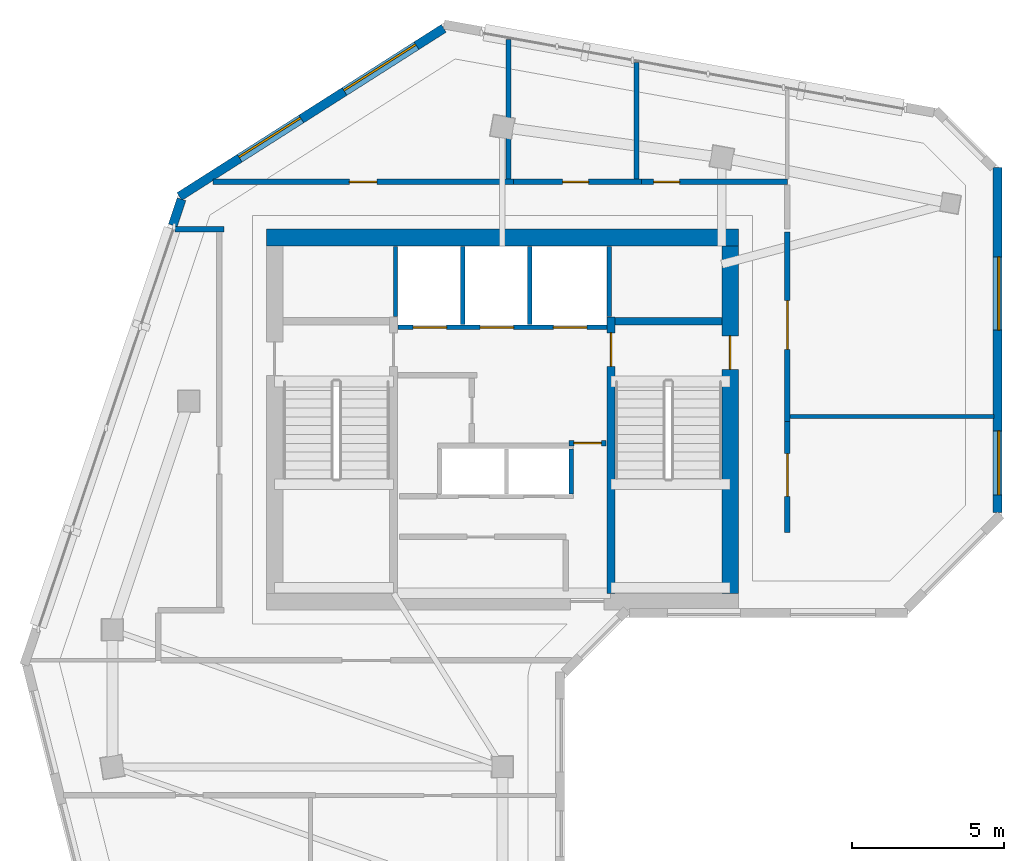
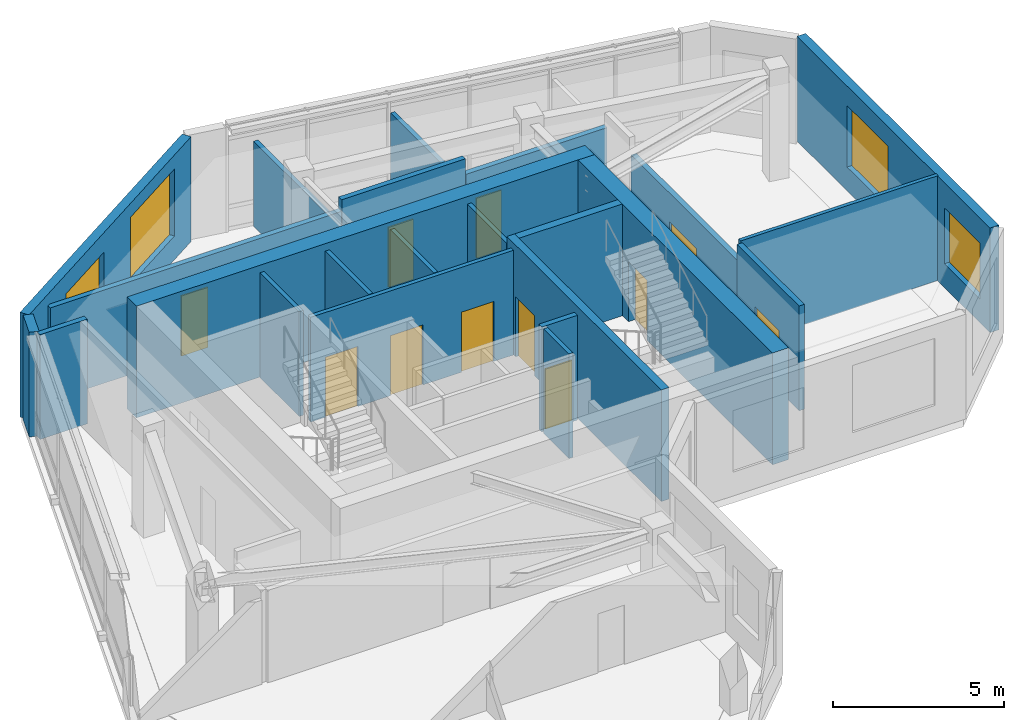
# One storey, part 4 of 8: 23 walls, 11 doors, 4 windows, 15 openings.
"""IFC4 building model written with IfcOpenShell, lengths in metres."""

from ifc_helpers import new_model, si_unit, direction, frame, frame_2d, origin, place, context, subcontext, project, spatial, rectangle, extrude, source, transform, mapped, material, layer, layer_set, type_object, element, fill, save


model = new_model("IFC4")

# Units and contexts
model_context = context("Model", 3, precision=1e-05, world=origin(), true_north=direction((0.0, 1.0)))
body_context = subcontext(model_context, "Body", "Model", "MODEL_VIEW")
ifc_project = project(units=[si_unit("LENGTHUNIT", "METRE"), si_unit("AREAUNIT", "SQUARE_METRE"), si_unit("VOLUMEUNIT", "CUBIC_METRE"), si_unit("PLANEANGLEUNIT", "RADIAN"), si_unit("MASSUNIT", "GRAM", prefix="KILO")], contexts=[model_context])

# Site, building, storey
site_placement = place(None, origin())
site = spatial("IfcSite", under=ifc_project, at=site_placement, CompositionType="ELEMENT")
building_placement = place(site_placement, origin())
building = spatial("IfcBuilding", under=site, at=building_placement, Name="Calvemar Wedge Station Tower", CompositionType="ELEMENT")
storey_placement = place(building_placement, frame((0.0, 0.0, 292.5)))
storey = spatial("IfcBuildingStorey", under=building, at=storey_placement, Name="L75", CompositionType="ELEMENT", Elevation=292.5)

# Wall, opening, door
ifc_material_1 = material(Name="Concrete C50", Category="concrete")
ifc_layer_1 = layer(ifc_material_1, 0.260009765625)
ifc_layer_set_1 = layer_set([ifc_layer_1], Name="Concrete C50")
wall_type_1 = type_object("IfcWallType", Name="SW-CORE-260", PredefinedType="SHEAR", material=ifc_layer_set_1)
wall_1_placement = place(storey_placement, frame((27.3701171875, 34.199951171875, 0.0), z_axis=(0.0, 0.0, 1.0), x_axis=(0.0, 1.0, 0.0)))
wall_1 = element("IfcWall", 1, at=wall_1_placement, inside=storey, type_object=wall_type_1, Name="Storey L75 Core Shear Wall SPINE-E", PredefinedType="SHEAR", context=body_context, shape_type="SweptSolid", body=[
    extrude(rectangle(XDim=9.06005859375, YDim=0.260009765625, at=frame_2d((4.530029296875, 0.0))), origin(), (0.0, 0.0, 1.0), 4.0),
])
shared_shape_1 = source(origin(), body_context, "Body", "SweptSolid", [
    extrude(rectangle(XDim=1.10009765625, YDim=2.14990234375, at=frame_2d((0.550048828125, 1.074951171875))), frame((0.0, 0.14013671875, 0.0), z_axis=(0.0, -1.0, 0.0), x_axis=(1.0, 0.0, 0.0)), (0.0, 0.0, 1.0), 0.280029296875),
])
opening_1_placement = place(wall_1_placement, frame((7.449951171875, 0.0, 0.0)))
opening_1 = element("IfcOpeningElement", 2, at=opening_1_placement, cuts=wall_1, Name="Opening FD-90", PredefinedType="OPENING", context=body_context, shape_type="MappedRepresentation", body=[
    mapped(shared_shape_1, transform((0.0, 0.0, 0.0), scale=1.0)),
])
ifc_material_2 = material(Name="Galvanized fire-rated steel door leaf P-90", Category="steel")
door_type_1 = type_object("IfcDoorType", Name="DR-FD90-1100", OperationType="NOTDEFINED", PredefinedType="DOOR", material=ifc_material_2)
shared_shape_2 = source(origin(), body_context, "Body", "SweptSolid", [
    extrude(rectangle(XDim=1.10009765625, YDim=2.14990234375, at=frame_2d((0.550048828125, 1.074951171875))), frame((0.0, 0.02490234375, 0.0), z_axis=(0.0, -1.0, 0.0), x_axis=(1.0, 0.0, 0.0)), (0.0, 0.0, 1.0), 0.050048828125),
])
door_1_placement = place(opening_1_placement, origin())
door_1 = element("IfcDoor", 3, at=door_1_placement, inside=storey, type_object=door_type_1, Name="L75 FF Lobby to Stair ST-C2 Door", OperationType="SINGLE_SWING_RIGHT", OverallHeight=2.14990234375, OverallWidth=1.10009765625, PredefinedType="DOOR", context=body_context, shape_type="MappedRepresentation", body=[
    mapped(shared_shape_2, transform((0.0, 0.0, 0.0), scale=1.0)),
])
fill(opening_1, door_1)

# Walls
wall_2_placement = place(storey_placement, frame((27.5, 43.1298828125, 0.0), z_axis=(0.0, 0.0, 1.0), x_axis=(1.0, 0.0, 0.0)))
element("IfcWall", 4, at=wall_2_placement, inside=storey, type_object=wall_type_1, Name="Storey L75 Core Shear Wall STC2-N", PredefinedType="SHEAR", context=body_context, shape_type="SweptSolid", body=[
    extrude(rectangle(XDim=3.5, YDim=0.260009765625, at=frame_2d((1.75, 0.0))), origin(), (0.0, 0.0, 1.0), 4.0),
])
ifc_material_3 = material(Name="Concrete C60", Category="concrete")
ifc_layer_2 = layer(ifc_material_3, 0.550048828125)
ifc_layer_set_2 = layer_set([ifc_layer_2], Name="Concrete C60")
wall_type_2 = type_object("IfcWallType", Name="SW-CORE-550", PredefinedType="SHEAR", material=ifc_layer_set_2)
wall_3_placement = place(storey_placement, frame((16.050048828125, 45.875, 0.0), z_axis=(0.0, 0.0, 1.0), x_axis=(1.0, 0.0, 0.0)))
element("IfcWall", 5, at=wall_3_placement, inside=storey, type_object=wall_type_2, Name="Storey L75 Core Shear Wall N", PredefinedType="SHEAR", context=body_context, shape_type="SweptSolid", body=[
    extrude(rectangle(XDim=15.5, YDim=0.550048828125, at=frame_2d((7.75, 0.0))), origin(), (0.0, 0.0, 1.0), 4.0),
])

# Wall, opening, door
wall_4_placement = place(storey_placement, frame((31.27490234375, 34.199951171875, 0.0), z_axis=(0.0, 0.0, 1.0), x_axis=(0.0, 1.0, 0.0)))
wall_4 = element("IfcWall", 6, at=wall_4_placement, inside=storey, type_object=wall_type_2, Name="Storey L75 Core Shear Wall E", PredefinedType="SHEAR", context=body_context, shape_type="SweptSolid", body=[
    extrude(rectangle(XDim=11.400146484375, YDim=0.550048828125, at=frame_2d((5.7001953125, 0.0))), origin(), (0.0, 0.0, 1.0), 4.0),
])
shared_shape_3 = source(origin(), body_context, "Body", "SweptSolid", [
    extrude(rectangle(XDim=1.10009765625, YDim=2.14990234375, at=frame_2d((0.550048828125, 1.074951171875))), frame((0.0, 0.28515625, 0.0), z_axis=(0.0, -1.0, 0.0), x_axis=(1.0, 0.0, 0.0)), (0.0, 0.0, 1.0), 0.570068359375),
])
opening_2_placement = place(wall_4_placement, frame((7.35009765625, 0.0, 0.0)))
opening_2 = element("IfcOpeningElement", 7, at=opening_2_placement, cuts=wall_4, Name="Opening FD-90", PredefinedType="OPENING", context=body_context, shape_type="MappedRepresentation", body=[
    mapped(shared_shape_3, transform((0.0, 0.0, 0.0), scale=1.0)),
])
door_2_placement = place(opening_2_placement, origin())
door_2 = element("IfcDoor", 8, at=door_2_placement, inside=storey, type_object=door_type_1, Name="L75 East Corridor to Exit Stair ST-C2 Door", OperationType="SINGLE_SWING_RIGHT", OverallHeight=2.14990234375, OverallWidth=1.10009765625, PredefinedType="DOOR", context=body_context, shape_type="MappedRepresentation", body=[
    mapped(shared_shape_2, transform((0.0, 0.0, 0.0), scale=1.0)),
])
fill(opening_2, door_2)

ifc_material_4 = material(Name="Double-stud fire-rated corridor partition")
ifc_layer_3 = layer(ifc_material_4, 0.179931640625)
ifc_layer_set_3 = layer_set([ifc_layer_3], Name="Double-stud fire-rated corridor partition")
wall_type_3 = type_object("IfcWallType", Name="W-CORR-180", PredefinedType="PARTITIONING", material=ifc_layer_set_3)
wall_5_placement = place(storey_placement, frame((27.199951171875, 39.1298828125, 0.0), z_axis=(0.0, 0.0, 1.0), x_axis=(-1.0, 0.0, 0.0)))
wall_5 = element("IfcWall", 9, at=wall_5_placement, inside=storey, type_object=wall_type_3, Name="Storey L75 Interior Partition WL-L75-004", PredefinedType="PARTITIONING", context=body_context, shape_type="SweptSolid", body=[
    extrude(rectangle(XDim=1.2099609375, YDim=0.179931640625, at=frame_2d((0.60498046875, 0.0))), origin(), (0.0, 0.0, 1.0), 3.75),
])
shared_shape_4 = source(origin(), body_context, "Body", "SweptSolid", [
    extrude(rectangle(XDim=0.89990234375, YDim=2.14990234375, at=frame_2d((0.449951171875, 1.074951171875))), frame((0.0, 0.10009765625, 0.0), z_axis=(0.0, -1.0, 0.0), x_axis=(1.0, 0.0, 0.0)), (0.0, 0.0, 1.0), 0.199951171875),
])
opening_3_placement = place(wall_5_placement, frame((0.155029296875, 0.0, 0.0)))
opening_3 = element("IfcOpeningElement", 10, at=opening_3_placement, cuts=wall_5, Name="Opening FD-60", PredefinedType="OPENING", context=body_context, shape_type="MappedRepresentation", body=[
    mapped(shared_shape_4, transform((0.0, 0.0, 0.0), scale=1.0)),
])
ifc_material_5 = material(Name="Fire-rated acoustic timber-core entrance door EI 60", Category="wood")
door_type_2 = type_object("IfcDoorType", Name="DR-FD60-900", OperationType="NOTDEFINED", PredefinedType="DOOR", material=ifc_material_5)
shared_shape_5 = source(origin(), body_context, "Body", "SweptSolid", [
    extrude(rectangle(XDim=0.89990234375, YDim=2.14990234375, at=frame_2d((0.449951171875, 1.074951171875))), frame((0.0, 0.02490234375, 0.0), z_axis=(0.0, -1.0, 0.0), x_axis=(1.0, 0.0, 0.0)), (0.0, 0.0, 1.0), 0.050048828125),
])
door_3_placement = place(opening_3_placement, origin())
door_3 = element("IfcDoor", 11, at=door_3_placement, inside=storey, type_object=door_type_2, Name="L75 Core Service Lobby Door", OperationType="SINGLE_SWING_LEFT", OverallHeight=2.14990234375, OverallWidth=0.89990234375, PredefinedType="DOOR", context=body_context, shape_type="MappedRepresentation", body=[
    mapped(shared_shape_5, transform((0.0, 0.0, 0.0), scale=1.0)),
])
fill(opening_3, door_3)

# Wall
wall_6_placement = place(storey_placement, frame((14.659912109375, 46.14990234375, 0.0), z_axis=(0.0, 0.0, 1.0), x_axis=(-1.0, 0.0, 0.0)))
element("IfcWall", 12, at=wall_6_placement, inside=storey, type_object=wall_type_3, Name="Storey L75 Interior Partition WL-L75-011", PredefinedType="PARTITIONING", context=body_context, shape_type="SweptSolid", body=[
    extrude(rectangle(XDim=1.602294921875, YDim=0.179931640625, at=frame_2d((0.80126953125, 0.0))), origin(), (0.0, 0.0, 1.0), 3.75),
])

# Wall, opening, door
wall_7_placement = place(storey_placement, frame((14.29541015625, 47.699951171875, 0.0), z_axis=(0.0, 0.0, 1.0), x_axis=(1.0, 0.0, 0.0)))
wall_7 = element("IfcWall", 13, at=wall_7_placement, inside=storey, type_object=wall_type_3, Name="Storey L75 Interior Partition WL-L75-012", PredefinedType="PARTITIONING", context=body_context, shape_type="SweptSolid", body=[
    extrude(rectangle(XDim=9.864501953125, YDim=0.179931640625, at=frame_2d((4.93212890625, 0.0))), origin(), (0.0, 0.0, 1.0), 3.3349609375),
])
opening_4_placement = place(wall_7_placement, frame((4.482421875, 0.0, 0.0)))
opening_4 = element("IfcOpeningElement", 14, at=opening_4_placement, cuts=wall_7, Name="Opening D-01", PredefinedType="OPENING", context=body_context, shape_type="MappedRepresentation", body=[
    mapped(shared_shape_4, transform((0.0, 0.0, 0.0), scale=1.0)),
])
ifc_material_6 = material(Name="Architectural hardwood acoustic swing door", Category="wood")
door_type_3 = type_object("IfcDoorType", Name="DR-INT-900", OperationType="NOTDEFINED", PredefinedType="DOOR", material=ifc_material_6)
shared_shape_6 = source(origin(), body_context, "Body", "SweptSolid", [
    extrude(rectangle(XDim=0.89990234375, YDim=2.14990234375, at=frame_2d((0.449951171875, 1.074951171875))), frame((0.0, 0.02490234375, 0.0), z_axis=(0.0, -1.0, 0.0), x_axis=(1.0, 0.0, 0.0)), (0.0, 0.0, 1.0), 0.050048828125),
])
door_4_placement = place(opening_4_placement, origin())
door_4 = element("IfcDoor", 15, at=door_4_placement, inside=storey, type_object=door_type_3, Name="L75 Summit VIP Boardroom Door", OperationType="SINGLE_SWING_RIGHT", OverallHeight=2.14990234375, OverallWidth=0.89990234375, PredefinedType="DOOR", context=body_context, shape_type="MappedRepresentation", body=[
    mapped(shared_shape_6, transform((0.0, 0.0, 0.0), scale=1.0)),
])
fill(opening_4, door_4)

wall_8_placement = place(storey_placement, frame((24.162109375, 47.699951171875, 0.0), z_axis=(0.0, 0.0, 1.0), x_axis=(1.0, 0.0, 0.0)))
wall_8 = element("IfcWall", 16, at=wall_8_placement, inside=storey, type_object=wall_type_3, Name="Storey L75 Interior Partition WL-L75-013", PredefinedType="PARTITIONING", context=body_context, shape_type="SweptSolid", body=[
    extrude(rectangle(XDim=4.197998046875, YDim=0.179931640625, at=frame_2d((2.09912109375, 0.0))), origin(), (0.0, 0.0, 1.0), 3.75),
])
shared_shape_7 = source(origin(), body_context, "Body", "SweptSolid", [
    extrude(rectangle(XDim=0.85009765625, YDim=2.14990234375, at=frame_2d((0.425048828125, 1.074951171875))), frame((0.0, 0.10009765625, 0.0), z_axis=(0.0, -1.0, 0.0), x_axis=(1.0, 0.0, 0.0)), (0.0, 0.0, 1.0), 0.199951171875),
])
opening_5_placement = place(wall_8_placement, frame((1.61328125, 0.0, 0.0)))
opening_5 = element("IfcOpeningElement", 17, at=opening_5_placement, cuts=wall_8, Name="Opening D-02", PredefinedType="OPENING", context=body_context, shape_type="MappedRepresentation", body=[
    mapped(shared_shape_7, transform((0.0, 0.0, 0.0), scale=1.0)),
])
ifc_material_7 = material(Name="Moisture-sealed bathroom hardwood swing door", Category="wood")
door_type_4 = type_object("IfcDoorType", Name="DR-WET-850", OperationType="NOTDEFINED", PredefinedType="DOOR", material=ifc_material_7)
shared_shape_8 = source(origin(), body_context, "Body", "SweptSolid", [
    extrude(rectangle(XDim=0.85009765625, YDim=2.14990234375, at=frame_2d((0.425048828125, 1.074951171875))), frame((0.0, 0.02490234375, 0.0), z_axis=(0.0, -1.0, 0.0), x_axis=(1.0, 0.0, 0.0)), (0.0, 0.0, 1.0), 0.050048828125),
])
door_5_placement = place(opening_5_placement, origin())
door_5 = element("IfcDoor", 18, at=door_5_placement, inside=storey, type_object=door_type_4, Name="L75 Accessible WC Door", OperationType="SINGLE_SWING_LEFT", OverallHeight=2.14990234375, OverallWidth=0.85009765625, PredefinedType="DOOR", context=body_context, shape_type="MappedRepresentation", body=[
    mapped(shared_shape_8, transform((0.0, 0.0, 0.0), scale=1.0)),
])
fill(opening_5, door_5)

wall_9_placement = place(storey_placement, frame((28.362060546875, 47.699951171875, 0.0), z_axis=(0.0, 0.0, 1.0), x_axis=(1.0, 0.0, 0.0)))
wall_9 = element("IfcWall", 19, at=wall_9_placement, inside=storey, type_object=wall_type_3, Name="Storey L75 Interior Partition WL-L75-014", PredefinedType="PARTITIONING", context=body_context, shape_type="SweptSolid", body=[
    extrude(rectangle(XDim=4.787841796875, YDim=0.179931640625, at=frame_2d((2.39404296875, 0.0))), origin(), (0.0, 0.0, 1.0), 3.18798828125),
])
opening_6_placement = place(wall_9_placement, frame((0.400634765625, 0.0, 0.0)))
opening_6 = element("IfcOpeningElement", 20, at=opening_6_placement, cuts=wall_9, Name="Opening D-02", PredefinedType="OPENING", context=body_context, shape_type="MappedRepresentation", body=[
    mapped(shared_shape_7, transform((0.0, 0.0, 0.0), scale=1.0)),
])
door_6_placement = place(opening_6_placement, origin())
door_6 = element("IfcDoor", 21, at=door_6_placement, inside=storey, type_object=door_type_4, Name="L75 Storage Room Door", OperationType="SINGLE_SWING_RIGHT", OverallHeight=2.14990234375, OverallWidth=0.85009765625, PredefinedType="DOOR", context=body_context, shape_type="MappedRepresentation", body=[
    mapped(shared_shape_8, transform((0.0, 0.0, 0.0), scale=1.0)),
])
fill(opening_6, door_6)

wall_10_placement = place(storey_placement, frame((33.14990234375, 46.055908203125, 0.0), z_axis=(0.0, 0.0, 1.0), x_axis=(0.0, -1.0, 0.0)))
wall_10 = element("IfcWall", 22, at=wall_10_placement, inside=storey, type_object=wall_type_3, Name="Storey L75 Interior Partition WL-L75-016", PredefinedType="PARTITIONING", context=body_context, shape_type="SweptSolid", body=[
    extrude(rectangle(XDim=6.2158203125, YDim=0.179931640625, at=frame_2d((3.10791015625, 0.0))), origin(), (0.0, 0.0, 1.0), 3.18798828125),
])
shared_shape_9 = source(origin(), body_context, "Body", "SweptSolid", [
    extrude(rectangle(XDim=1.60009765625, YDim=2.14990234375, at=frame_2d((0.800048828125, 1.074951171875))), frame((0.0, 0.10009765625, 0.0), z_axis=(0.0, -1.0, 0.0), x_axis=(1.0, 0.0, 0.0)), (0.0, 0.0, 1.0), 0.199951171875),
])
opening_7_placement = place(wall_10_placement, frame((2.24658203125, 0.0, 0.0)))
opening_7 = element("IfcOpeningElement", 23, at=opening_7_placement, cuts=wall_10, Name="Opening DD-160", PredefinedType="OPENING", context=body_context, shape_type="MappedRepresentation", body=[
    mapped(shared_shape_9, transform((0.0, 0.0, 0.0), scale=1.0)),
])
ifc_material_8 = material(Name="Double-leaf fire-rated lobby door EI 60")
door_type_5 = type_object("IfcDoorType", Name="DR-DBL-1600", OperationType="DOUBLE_DOOR_SINGLE_SWING", PredefinedType="DOOR", material=ifc_material_8)
shared_shape_10 = source(origin(), body_context, "Body", "SweptSolid", [
    extrude(rectangle(XDim=1.60009765625, YDim=2.14990234375, at=frame_2d((0.800048828125, 1.074951171875))), frame((0.0, 0.02490234375, 0.0), z_axis=(0.0, -1.0, 0.0), x_axis=(1.0, 0.0, 0.0)), (0.0, 0.0, 1.0), 0.050048828125),
])
door_7_placement = place(opening_7_placement, origin())
door_7 = element("IfcDoor", 24, at=door_7_placement, inside=storey, type_object=door_type_5, Name="L75 Atlantic Summit Observatory Gallery Door", OperationType="SINGLE_SWING_LEFT", OverallHeight=2.14990234375, OverallWidth=1.60009765625, PredefinedType="DOOR", context=body_context, shape_type="MappedRepresentation", body=[
    mapped(shared_shape_10, transform((0.0, 0.0, 0.0), scale=1.0)),
])
fill(opening_7, door_7)

wall_11_placement = place(storey_placement, frame((33.14990234375, 39.837890625, 0.0), z_axis=(0.0, 0.0, 1.0), x_axis=(0.0, -1.0, 0.0)))
wall_11 = element("IfcWall", 25, at=wall_11_placement, inside=storey, type_object=wall_type_3, Name="Storey L75 Interior Partition WL-L75-017", PredefinedType="PARTITIONING", context=body_context, shape_type="SweptSolid", body=[
    extrude(rectangle(XDim=3.637939453125, YDim=0.179931640625, at=frame_2d((1.81884765625, 0.0))), origin(), (0.0, 0.0, 1.0), 3.75),
])
shared_shape_11 = source(origin(), body_context, "Body", "SweptSolid", [
    extrude(rectangle(XDim=1.39990234375, YDim=2.14990234375, at=frame_2d((0.699951171875, 1.074951171875))), frame((0.0, 0.10009765625, 0.0), z_axis=(0.0, -1.0, 0.0), x_axis=(1.0, 0.0, 0.0)), (0.0, 0.0, 1.0), 0.199951171875),
])
opening_8_placement = place(wall_11_placement, frame((1.054443359375, 0.0, 0.0)))
opening_8 = element("IfcOpeningElement", 26, at=opening_8_placement, cuts=wall_11, Name="Opening DD-140", PredefinedType="OPENING", context=body_context, shape_type="MappedRepresentation", body=[
    mapped(shared_shape_11, transform((0.0, 0.0, 0.0), scale=1.0)),
])
ifc_material_9 = material(Name="Double-leaf corridor acoustic fire door EI 60")
door_type_6 = type_object("IfcDoorType", Name="DR-DBL-1400", OperationType="DOUBLE_DOOR_SINGLE_SWING", PredefinedType="DOOR", material=ifc_material_9)
shared_shape_12 = source(origin(), body_context, "Body", "SweptSolid", [
    extrude(rectangle(XDim=1.39990234375, YDim=2.14990234375, at=frame_2d((0.699951171875, 1.074951171875))), frame((0.0, 0.02490234375, 0.0), z_axis=(0.0, -1.0, 0.0), x_axis=(1.0, 0.0, 0.0)), (0.0, 0.0, 1.0), 0.050048828125),
])
door_8_placement = place(opening_8_placement, origin())
door_8 = element("IfcDoor", 27, at=door_8_placement, inside=storey, type_object=door_type_6, Name="L75 Observatory Exhibition Shop Door", OperationType="SINGLE_SWING_RIGHT", OverallHeight=2.14990234375, OverallWidth=1.39990234375, PredefinedType="DOOR", context=body_context, shape_type="MappedRepresentation", body=[
    mapped(shared_shape_12, transform((0.0, 0.0, 0.0), scale=1.0)),
])
fill(opening_8, door_8)

# Wall, openings, windows
ifc_material_10 = material(Name="Precast concrete C45", Category="concrete")
ifc_layer_4 = layer(ifc_material_10, 0.300048828125)
ifc_layer_set_4 = layer_set([ifc_layer_4], Name="Precast concrete C45")
wall_type_4 = type_object("IfcWallType", Name="W-EXT-GFRC-300", PredefinedType="SOLIDWALL", material=ifc_layer_set_4)
wall_12_placement = place(storey_placement, frame((40.050048828125, 36.857421875, 0.0), z_axis=(0.0, 0.0, 1.0), x_axis=(0.0, 1.0, 0.0)))
wall_12 = element("IfcWall", 28, at=wall_12_placement, inside=storey, type_object=wall_type_4, Name="Storey L75 Bronze GFRC Exterior Wall 8", PredefinedType="SOLIDWALL", context=body_context, shape_type="SweptSolid", body=[
    extrude(rectangle(XDim=11.318359375, YDim=0.300048828125, at=frame_2d((5.6591796875, 0.0))), origin(), (0.0, 0.0, 1.0), 3.75),
])
shared_shape_13 = source(origin(), body_context, "Body", "SweptSolid", [
    extrude(rectangle(XDim=2.10009765625, YDim=2.0, at=frame_2d((1.050048828125, 1.0))), frame((0.0, 0.16015625, 0.0), z_axis=(0.0, -1.0, 0.0), x_axis=(1.0, 0.0, 0.0)), (0.0, 0.0, 1.0), 0.320068359375),
])
opening_9_placement = place(wall_12_placement, frame((0.571044921875, 0.0, 0.85009765625)))
opening_9 = element("IfcOpeningElement", 29, at=opening_9_placement, cuts=wall_12, Name="Opening W4", PredefinedType="OPENING", context=body_context, shape_type="MappedRepresentation", body=[
    mapped(shared_shape_13, transform((0.0, 0.0, 0.0), scale=1.0)),
])
shared_shape_14 = source(origin(), body_context, "Body", "SweptSolid", [
    extrude(rectangle(XDim=2.39990234375, YDim=2.199951171875, at=frame_2d((1.199951171875, 1.10009765625))), frame((0.0, 0.16015625, 0.0), z_axis=(0.0, -1.0, 0.0), x_axis=(1.0, 0.0, 0.0)), (0.0, 0.0, 1.0), 0.320068359375),
])
opening_10_placement = place(wall_12_placement, frame((5.98095703125, 0.0, 0.85009765625)))
opening_10 = element("IfcOpeningElement", 30, at=opening_10_placement, cuts=wall_12, Name="Opening W1", PredefinedType="OPENING", context=body_context, shape_type="MappedRepresentation", body=[
    mapped(shared_shape_14, transform((0.0, 0.0, 0.0), scale=1.0)),
])
ifc_material_11 = material(Name="Low-E laminated insulated glass", Category="glass")
window_type_1 = type_object("IfcWindowType", Name="WIN-EXT-4", PartitioningType="SINGLE_PANEL", PredefinedType="WINDOW", material=ifc_material_11)
shared_shape_15 = source(origin(), body_context, "Body", "SweptSolid", [
    extrude(rectangle(XDim=2.10009765625, YDim=2.0, at=frame_2d((1.050048828125, 1.0))), frame((0.0, -0.014892578125, 0.0), z_axis=(0.0, -1.0, 0.0), x_axis=(1.0, 0.0, 0.0)), (0.0, 0.0, 1.0), 0.06005859375),
])
window_1_placement = place(opening_9_placement, origin())
window_1 = element("IfcWindow", 31, at=window_1_placement, inside=storey, type_object=window_type_1, Name="Storey L75 Recessed Window 8.1", OverallHeight=2.0, OverallWidth=2.10009765625, PartitioningType="SINGLE_PANEL", PredefinedType="WINDOW", context=body_context, shape_type="MappedRepresentation", body=[
    mapped(shared_shape_15, transform((0.0, 0.0, 0.0), scale=1.0)),
])
fill(opening_9, window_1)
window_type_2 = type_object("IfcWindowType", Name="WIN-EXT-1", PartitioningType="SINGLE_PANEL", PredefinedType="WINDOW", material=ifc_material_11)
shared_shape_16 = source(origin(), body_context, "Body", "SweptSolid", [
    extrude(rectangle(XDim=2.39990234375, YDim=2.199951171875, at=frame_2d((1.199951171875, 1.10009765625))), frame((0.0, -0.014892578125, 0.0), z_axis=(0.0, -1.0, 0.0), x_axis=(1.0, 0.0, 0.0)), (0.0, 0.0, 1.0), 0.06005859375),
])
window_2_placement = place(opening_10_placement, origin())
window_2 = element("IfcWindow", 32, at=window_2_placement, inside=storey, type_object=window_type_2, Name="Storey L75 Recessed Window 8.2", OverallHeight=2.199951171875, OverallWidth=2.39990234375, PartitioningType="SINGLE_PANEL", PredefinedType="WINDOW", context=body_context, shape_type="MappedRepresentation", body=[
    mapped(shared_shape_16, transform((0.0, 0.0, 0.0), scale=1.0)),
])
fill(opening_10, window_2)

wall_13_placement = place(storey_placement, frame((21.872802734375, 52.7412109375, 0.0), z_axis=(0.0, 0.0, 1.0), x_axis=(-0.843661487732, -0.536875492193, 0.0)))
wall_13 = element("IfcWall", 33, at=wall_13_placement, inside=storey, type_object=wall_type_4, Name="Storey L75 Bronze GFRC Exterior Wall 11", PredefinedType="SOLIDWALL", context=body_context, shape_type="SweptSolid", body=[
    extrude(rectangle(XDim=10.28173828125, YDim=0.300048828125, at=frame_2d((5.140869140625, 0.0))), origin(), (0.0, 0.0, 1.0), 3.75),
])
shared_shape_17 = source(origin(), body_context, "Body", "SweptSolid", [
    extrude(rectangle(XDim=2.800048828125, YDim=2.39990234375, at=frame_2d((1.39990234375, 1.199951171875))), frame((0.0, 0.16015625, 0.0), z_axis=(0.0, -1.0, 0.0), x_axis=(1.0, 0.0, 0.0)), (0.0, 0.0, 1.0), 0.320068359375),
])
opening_11_placement = place(wall_13_placement, frame((1.06005859375, 0.0, 0.85009765625)))
opening_11 = element("IfcOpeningElement", 34, at=opening_11_placement, cuts=wall_13, Name="Opening W6", PredefinedType="OPENING", context=body_context, shape_type="MappedRepresentation", body=[
    mapped(shared_shape_17, transform((0.0, 0.0, 0.0), scale=1.0)),
])
opening_12_placement = place(wall_13_placement, frame((5.5390625, 0.0, 0.85009765625)))
opening_12 = element("IfcOpeningElement", 35, at=opening_12_placement, cuts=wall_13, Name="Opening W1", PredefinedType="OPENING", context=body_context, shape_type="MappedRepresentation", body=[
    mapped(shared_shape_14, transform((0.0, 0.0, 0.0), scale=1.0)),
])
window_type_3 = type_object("IfcWindowType", Name="WIN-EXT-6", PartitioningType="SINGLE_PANEL", PredefinedType="WINDOW", material=ifc_material_11)
shared_shape_18 = source(origin(), body_context, "Body", "SweptSolid", [
    extrude(rectangle(XDim=2.800048828125, YDim=2.39990234375, at=frame_2d((1.39990234375, 1.199951171875))), frame((0.0, -0.014892578125, 0.0), z_axis=(0.0, -1.0, 0.0), x_axis=(1.0, 0.0, 0.0)), (0.0, 0.0, 1.0), 0.06005859375),
])
window_3_placement = place(opening_11_placement, origin())
window_3 = element("IfcWindow", 36, at=window_3_placement, inside=storey, type_object=window_type_3, Name="Storey L75 Recessed Window 11.1", OverallHeight=2.39990234375, OverallWidth=2.800048828125, PartitioningType="SINGLE_PANEL", PredefinedType="WINDOW", context=body_context, shape_type="MappedRepresentation", body=[
    mapped(shared_shape_18, transform((0.0, 0.0, 0.0), scale=1.0)),
])
fill(opening_11, window_3)
window_4_placement = place(opening_12_placement, origin())
window_4 = element("IfcWindow", 37, at=window_4_placement, inside=storey, type_object=window_type_2, Name="Storey L75 Recessed Window 11.2", OverallHeight=2.199951171875, OverallWidth=2.39990234375, PartitioningType="SINGLE_PANEL", PredefinedType="WINDOW", context=body_context, shape_type="MappedRepresentation", body=[
    mapped(shared_shape_16, transform((0.0, 0.0, 0.0), scale=1.0)),
])
fill(opening_12, window_4)

# Wall
wall_14_placement = place(storey_placement, frame((13.2685546875, 47.1337890625, 0.0), z_axis=(0.0, 0.0, 1.0), x_axis=(-0.31995770778, -0.947431826166, 0.0)))
element("IfcWall", 38, at=wall_14_placement, inside=storey, type_object=wall_type_4, Name="Storey L75 Bronze GFRC Corner Pier 12A", PredefinedType="SOLIDWALL", context=body_context, shape_type="SweptSolid", body=[
    extrude(rectangle(XDim=0.902587890625, YDim=0.300048828125, at=frame_2d((0.451171875, 0.0))), origin(), (0.0, 0.0, 1.0), 3.75),
])

# Wall, openings, doors
ifc_material_12 = material(Name="Reinforced concrete blockwork lift shaft wall", Category="masonry")
ifc_layer_5 = layer(ifc_material_12, 0.139892578125)
ifc_layer_set_5 = layer_set([ifc_layer_5], Name="Reinforced concrete blockwork lift shaft wall")
wall_type_5 = type_object("IfcWallType", Name="W-LIFT-160", PredefinedType="SOLIDWALL", material=ifc_layer_set_5)
wall_15_placement = place(storey_placement, frame((20.3701171875, 42.929931640625, 0.0), z_axis=(0.0, 0.0, 1.0), x_axis=(1.0, 0.0, 0.0)))
wall_15 = element("IfcWall", 39, at=wall_15_placement, inside=storey, type_object=wall_type_5, Name="Storey L75 Firefighting and Service Lift Shaft Front Wall", PredefinedType="SOLIDWALL", context=body_context, shape_type="SweptSolid", body=[
    extrude(rectangle(XDim=6.85986328125, YDim=0.139892578125, at=frame_2d((3.429931640625, 0.0))), origin(), (0.0, 0.0, 1.0), 3.75),
])
shared_shape_19 = source(origin(), body_context, "Body", "SweptSolid", [
    extrude(rectangle(XDim=1.10009765625, YDim=2.14990234375, at=frame_2d((0.550048828125, 1.074951171875))), frame((0.0, 0.080078125, 0.0), z_axis=(0.0, -1.0, 0.0), x_axis=(1.0, 0.0, 0.0)), (0.0, 0.0, 1.0), 0.159912109375),
])
opening_13_placement = place(wall_15_placement, frame((0.5, 0.0, 0.0)))
opening_13 = element("IfcOpeningElement", 40, at=opening_13_placement, cuts=wall_15, Name="Opening LD-FF", PredefinedType="OPENING", context=body_context, shape_type="MappedRepresentation", body=[
    mapped(shared_shape_19, transform((0.0, 0.0, 0.0), scale=1.0)),
])
opening_14_placement = place(wall_15_placement, frame((2.699951171875, 0.0, 0.0)))
opening_14 = element("IfcOpeningElement", 41, at=opening_14_placement, cuts=wall_15, Name="Opening LD-FF", PredefinedType="OPENING", context=body_context, shape_type="MappedRepresentation", body=[
    mapped(shared_shape_19, transform((0.0, 0.0, 0.0), scale=1.0)),
])
opening_15_placement = place(wall_15_placement, frame((5.10009765625, 0.0, 0.0)))
opening_15 = element("IfcOpeningElement", 42, at=opening_15_placement, cuts=wall_15, Name="Opening LD-STN", PredefinedType="OPENING", context=body_context, shape_type="MappedRepresentation", body=[
    mapped(shared_shape_19, transform((0.0, 0.0, 0.0), scale=1.0)),
])
ifc_material_13 = material(Name="Stainless steel firefighting lift sliding landing door", Category="steel")
door_type_7 = type_object("IfcDoorType", Name="DR-LD-FF-1100", OperationType="SLIDING_TO_LEFT", PredefinedType="DOOR", material=ifc_material_13)
shared_shape_20 = source(origin(), body_context, "Body", "SweptSolid", [
    extrude(rectangle(XDim=1.10009765625, YDim=2.14990234375, at=frame_2d((0.550048828125, 1.074951171875))), frame((0.0, 0.02490234375, 0.0), z_axis=(0.0, -1.0, 0.0), x_axis=(1.0, 0.0, 0.0)), (0.0, 0.0, 1.0), 0.050048828125),
])
door_9_placement = place(opening_13_placement, origin())
door_9 = element("IfcDoor", 43, at=door_9_placement, inside=storey, type_object=door_type_7, Name="L75 Lift FF-01 Sliding Landing Door", OperationType="SLIDING_TO_LEFT", OverallHeight=2.14990234375, OverallWidth=1.10009765625, PredefinedType="DOOR", context=body_context, shape_type="MappedRepresentation", body=[
    mapped(shared_shape_20, transform((0.0, 0.0, 0.0), scale=1.0)),
])
fill(opening_13, door_9)
door_10_placement = place(opening_14_placement, origin())
door_10 = element("IfcDoor", 44, at=door_10_placement, inside=storey, type_object=door_type_7, Name="L75 Lift FF-02 Sliding Landing Door", OperationType="SLIDING_TO_RIGHT", OverallHeight=2.14990234375, OverallWidth=1.10009765625, PredefinedType="DOOR", context=body_context, shape_type="MappedRepresentation", body=[
    mapped(shared_shape_20, transform((0.0, 0.0, 0.0), scale=1.0)),
])
fill(opening_14, door_10)
ifc_material_14 = material(Name="Stainless steel transit lift sliding landing door", Category="steel")
door_type_8 = type_object("IfcDoorType", Name="DR-LD-PAX-1100", OperationType="SLIDING_TO_LEFT", PredefinedType="DOOR", material=ifc_material_14)
shared_shape_21 = source(origin(), body_context, "Body", "SweptSolid", [
    extrude(rectangle(XDim=1.10009765625, YDim=2.14990234375, at=frame_2d((0.550048828125, 1.074951171875))), frame((0.0, 0.02490234375, 0.0), z_axis=(0.0, -1.0, 0.0), x_axis=(1.0, 0.0, 0.0)), (0.0, 0.0, 1.0), 0.050048828125),
])
door_11_placement = place(opening_15_placement, origin())
door_11 = element("IfcDoor", 45, at=door_11_placement, inside=storey, type_object=door_type_8, Name="L75 Lift SV-01 Sliding Landing Door", OperationType="SLIDING_TO_LEFT", OverallHeight=2.14990234375, OverallWidth=1.10009765625, PredefinedType="DOOR", context=body_context, shape_type="MappedRepresentation", body=[
    mapped(shared_shape_21, transform((0.0, 0.0, 0.0), scale=1.0)),
])
fill(opening_15, door_11)

# Walls
for number, where, z_axis, x_axis, name in (
    (46, (20.2900390625, 43.280029296875, 0.0), (0.0, 0.0, 1.0), (0.0, 1.0, 0.0), "Storey L75 Firefighting Lift Shaft Enclosure Wall W"),
    (47, (27.31005859375, 43.280029296875, 0.0), (0.0, 0.0, 1.0), (0.0, 1.0, 0.0), "Storey L75 Firefighting Lift Shaft Enclosure Wall E"),
):
    element("IfcWall", number, at=place(storey_placement, frame(where, z_axis=z_axis, x_axis=x_axis)), inside=storey, type_object=wall_type_5, Name=name, PredefinedType="SOLIDWALL", context=body_context, shape_type="SweptSolid", body=[
        extrude(rectangle(XDim=2.300048828125, YDim=0.139892578125, at=frame_2d((1.14990234375, 0.0))), origin(), (0.0, 0.0, 1.0), 3.75),
    ])
for number, where, z_axis, x_axis, name in (
    (48, (22.5, 43.02001953125, 0.0), (0.0, 0.0, 1.0), (0.0, 1.0, 0.0), "Storey L75 Firefighting Lift Shaft Enclosure Wall D1"),
    (49, (24.699951171875, 43.02001953125, 0.0), (0.0, 0.0, 1.0), (0.0, 1.0, 0.0), "Storey L75 Firefighting Lift Shaft Enclosure Wall D2"),
):
    element("IfcWall", number, at=place(storey_placement, frame(where, z_axis=z_axis, x_axis=x_axis)), inside=storey, type_object=wall_type_5, Name=name, PredefinedType="SOLIDWALL", context=body_context, shape_type="SweptSolid", body=[
        extrude(rectangle(XDim=2.56005859375, YDim=0.139892578125, at=frame_2d((1.280029296875, 0.0))), origin(), (0.0, 0.0, 1.0), 3.75),
    ])
wall_16_placement = place(storey_placement, frame((26.06005859375, 37.4599609375, 0.0), z_axis=(0.0, 0.0, 1.0), x_axis=(0.0, 1.0, 0.0)))
element("IfcWall", 50, at=wall_16_placement, inside=storey, type_object=wall_type_5, Name="Storey L75 Upper Passenger Lift Shaft Wall E", PredefinedType="SOLIDWALL", context=body_context, shape_type="SweptSolid", body=[
    extrude(rectangle(XDim=1.47998046875, YDim=0.139892578125, at=frame_2d((0.739990234375, 0.0))), origin(), (0.0, 0.0, 1.0), 3.75),
])
ifc_material_15 = material(Name="Insulated acoustic gypsum stud partition")
ifc_layer_6 = layer(ifc_material_15, 0.125)
ifc_layer_set_6 = layer_set([ifc_layer_6], Name="Insulated acoustic gypsum stud partition")
wall_type_6 = type_object("IfcWallType", Name="W-PART-125", PredefinedType="PARTITIONING", material=ifc_layer_set_6)
wall_17_placement = place(storey_placement, frame((39.93505859375, 40.0, 0.0), z_axis=(0.0, 0.0, 1.0), x_axis=(-1.0, 0.0, 0.0)))
element("IfcWall", 51, at=wall_17_placement, inside=storey, type_object=wall_type_6, Name="Storey L75 Interior Partition WL-L75-022", PredefinedType="PARTITIONING", context=body_context, shape_type="SweptSolid", body=[
    extrude(rectangle(XDim=6.691162109375, YDim=0.125, at=frame_2d((3.345703125, 0.0))), origin(), (0.0, 0.0, 1.0), 3.75),
])
ifc_material_16 = material(Name="Moisture-resistant acoustic bathroom partition")
ifc_layer_7 = layer(ifc_material_16, 0.14990234375)
ifc_layer_set_7 = layer_set([ifc_layer_7], Name="Moisture-resistant acoustic bathroom partition")
wall_type_7 = type_object("IfcWallType", Name="W-WET-150", PredefinedType="PARTITIONING", material=ifc_layer_set_7)
wall_18_placement = place(storey_placement, frame((24.0, 52.37109375, 0.0), z_axis=(0.0, 0.0, 1.0), x_axis=(0.0, -1.0, 0.0)))
element("IfcWall", 52, at=wall_18_placement, inside=storey, type_object=wall_type_7, Name="Storey L75 Interior Partition WL-L75-019", PredefinedType="PARTITIONING", context=body_context, shape_type="SweptSolid", body=[
    extrude(rectangle(XDim=4.5771484375, YDim=0.14990234375, at=frame_2d((2.28857421875, 0.0))), origin(), (0.0, 0.0, 1.0), 3.0419921875),
])
wall_19_placement = place(storey_placement, frame((28.199951171875, 51.6162109375, 0.0), z_axis=(0.0, 0.0, 1.0), x_axis=(0.0, -1.0, 0.0)))
element("IfcWall", 53, at=wall_19_placement, inside=storey, type_object=wall_type_7, Name="Storey L75 Interior Partition WL-L75-020", PredefinedType="PARTITIONING", context=body_context, shape_type="SweptSolid", body=[
    extrude(rectangle(XDim=3.822265625, YDim=0.14990234375, at=frame_2d((1.9111328125, 0.0))), origin(), (0.0, 0.0, 1.0), 3.0419921875),
])

save(model, "model.ifc")
